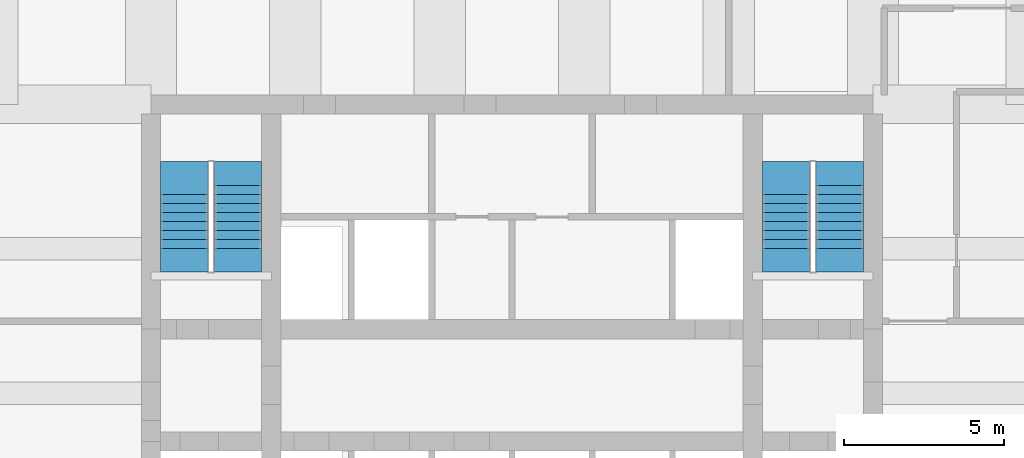
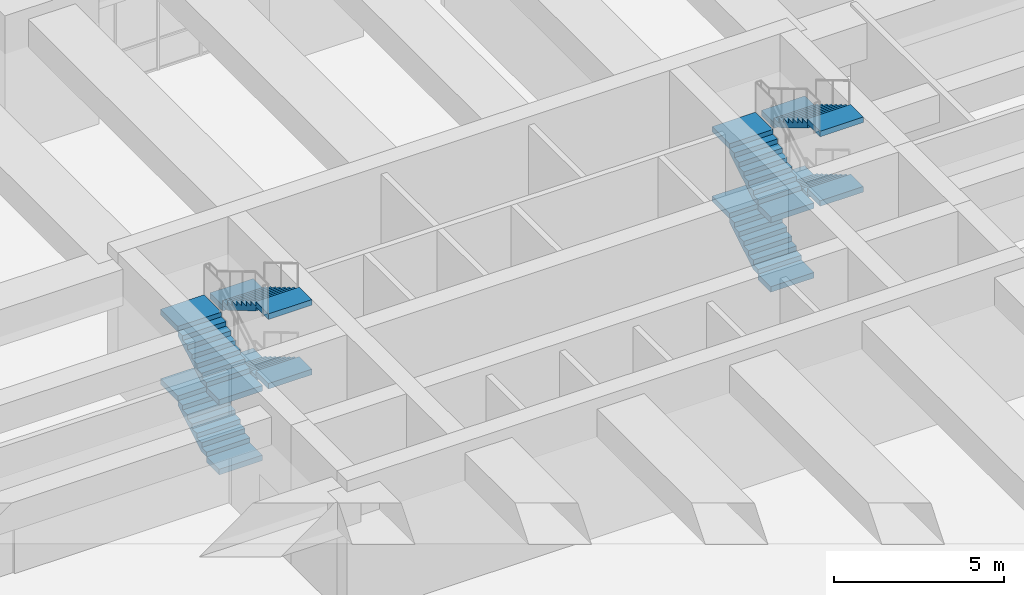
# One storey, part 20 of 22: 8 stair flights, 2 elements without a shape of their own.
"""IFC4 building model written with IfcOpenShell, lengths in metres."""

from ifc_helpers import new_model, si_unit, direction, frame, origin, place, context, subcontext, project, spatial, polyline, outline, extrude, material, type_object, element, aggregate, save


model = new_model("IFC4")

# Units and contexts
model_context = context("Model", 3, precision=1e-05, world=origin(), true_north=direction((0.0, 1.0)))
body_context = subcontext(model_context, "Body", "Model", "MODEL_VIEW")
ifc_project = project(units=[si_unit("LENGTHUNIT", "METRE"), si_unit("AREAUNIT", "SQUARE_METRE"), si_unit("VOLUMEUNIT", "CUBIC_METRE"), si_unit("PLANEANGLEUNIT", "RADIAN"), si_unit("MASSUNIT", "GRAM", prefix="KILO")], contexts=[model_context])

# Site, building, storey
site_placement = place(None, origin())
site = spatial("IfcSite", under=ifc_project, at=site_placement, CompositionType="ELEMENT")
building_placement = place(site_placement, origin())
building = spatial("IfcBuilding", under=site, at=building_placement, Name="Kilele Tower Hotel", CompositionType="ELEMENT")
storey_placement = place(building_placement, frame((0.0, 0.0, 19.0)))
storey = spatial("IfcBuildingStorey", under=building, at=storey_placement, Name="L03", CompositionType="ELEMENT", Elevation=19.0)

# Stair, stair flights
ifc_material_1 = material(Name="Precast concrete C40/50", Category="concrete")
stair_type = type_object("IfcStairType", Name="Stair 1475 x 5000", PredefinedType="HALF_TURN_STAIR", material=ifc_material_1)
stair_1_placement = place(storey_placement, origin())
stair_1 = element("IfcStair", 1, at=stair_1_placement, inside=storey, type_object=stair_type, Name="Stair 1 L03", PredefinedType="HALF_TURN_STAIR")
ifc_material_2 = material(Name="Precast concrete C40/50", Category="concrete")
stair_flight_type = type_object("IfcStairFlightType", Name="Flight 1475 riser 166.7", PredefinedType="STRAIGHT", material=ifc_material_2)
stair_flight_1_placement = place(storey_placement, frame((14.53759765625, 22.52001953125, 0.0), z_axis=(0.0, 0.0, 1.0), x_axis=(0.0, 1.0, 0.0)))
stair_flight_1 = element("IfcStairFlight", 2, at=stair_flight_1_placement, type_object=stair_flight_type, Name="ST1 flight 1", NumberOfRisers=7, NumberOfTreads=6, PredefinedType="STRAIGHT", RiserHeight=0.166666667, TreadLength=0.28, context=body_context, shape_type="SweptSolid", body=[
    extrude(outline(polyline([(0.0, 0.0), (0.0, 0.166748046875), (0.280029296875, 0.166748046875), (0.280029296875, 0.333251953125), (0.56005859375, 0.333251953125), (0.56005859375, 0.5), (0.840087890625, 0.5), (0.840087890625, 0.666748046875), (1.1201171875, 0.666748046875), (1.1201171875, 0.833251953125), (1.39990234375, 0.833251953125), (1.39990234375, 1.0), (1.679931640625, 1.0), (1.679931640625, 1.166748046875), (1.679931640625, 0.825439453125), (0.29296875, 0.0), (0.0, 0.0)])), frame((0.0, 0.737548828125, 0.0), z_axis=(0.0, -1.0, 0.0), x_axis=(1.0, 0.0, 0.0)), (0.0, 0.0, 1.0), 1.47509765625),
    extrude(outline(polyline([(-0.7451171875, 0.737548828125), (-0.7451171875, -0.7373046875), (0.0, -0.7373046875), (0.0, 0.737548828125), (-0.7451171875, 0.737548828125)])), frame((0.0, 0.0, -0.199951171875)), (0.0, 0.0, 1.0), 0.199951171875),
    extrude(outline(polyline([(1.679931640625, 0.737548828125), (1.679931640625, -0.7373046875), (2.705078125, -0.7373046875), (2.705078125, 0.737548828125), (1.679931640625, 0.737548828125)])), frame((0.0, 0.0, 0.966796875)), (0.0, 0.0, 1.0), 0.199951171875),
])
stair_flight_2_placement = place(storey_placement, frame((16.21240234375, 24.47998046875, 1.166748046875), z_axis=(0.0, 0.0, 1.0), x_axis=(0.0, -1.0, 0.0)))
stair_flight_2 = element("IfcStairFlight", 3, at=stair_flight_2_placement, type_object=stair_flight_type, Name="ST1 flight 2", NumberOfRisers=8, NumberOfTreads=7, PredefinedType="STRAIGHT", RiserHeight=0.166666667, TreadLength=0.28, context=body_context, shape_type="SweptSolid", body=[
    extrude(outline(polyline([(0.0, 0.0), (0.0, 0.166748046875), (0.280029296875, 0.166748046875), (0.280029296875, 0.333251953125), (0.56005859375, 0.333251953125), (0.56005859375, 0.5), (0.840087890625, 0.5), (0.840087890625, 0.666748046875), (1.1201171875, 0.666748046875), (1.1201171875, 0.833251953125), (1.39990234375, 0.833251953125), (1.39990234375, 1.0), (1.679931640625, 1.0), (1.679931640625, 1.166748046875), (1.9599609375, 1.166748046875), (1.9599609375, 1.333251953125), (1.9599609375, 0.9921875), (0.29296875, 0.0), (0.0, 0.0)])), frame((0.0, 0.737548828125, 0.0), z_axis=(0.0, -1.0, 0.0), x_axis=(1.0, 0.0, 0.0)), (0.0, 0.0, 1.0), 1.47509765625),
    extrude(outline(polyline([(0.0, -0.7373046875), (0.0, 0.737548828125), (-0.7451171875, 0.737548828125), (-0.7451171875, -0.7373046875), (0.0, -0.7373046875)])), frame((0.0, 0.0, -0.199951171875)), (0.0, 0.0, 1.0), 0.199951171875),
    extrude(outline(polyline([(2.705078125, -0.7373046875), (2.705078125, 0.737548828125), (1.9599609375, 0.737548828125), (1.9599609375, -0.7373046875), (2.705078125, -0.7373046875)])), frame((0.0, 0.0, 1.13330078125)), (0.0, 0.0, 1.0), 0.199951171875),
])
stair_flight_3_placement = place(storey_placement, frame((14.53759765625, 22.52001953125, 2.5), z_axis=(0.0, 0.0, 1.0), x_axis=(0.0, 1.0, 0.0)))
stair_flight_3 = element("IfcStairFlight", 4, at=stair_flight_3_placement, type_object=stair_flight_type, Name="ST1 flight 3", NumberOfRisers=7, NumberOfTreads=6, PredefinedType="STRAIGHT", RiserHeight=0.166666667, TreadLength=0.28, context=body_context, shape_type="SweptSolid", body=[
    extrude(outline(polyline([(0.0, 0.0), (0.0, 0.166748046875), (0.280029296875, 0.166748046875), (0.280029296875, 0.333251953125), (0.56005859375, 0.333251953125), (0.56005859375, 0.5), (0.840087890625, 0.5), (0.840087890625, 0.666748046875), (1.1201171875, 0.666748046875), (1.1201171875, 0.833251953125), (1.39990234375, 0.833251953125), (1.39990234375, 1.0), (1.679931640625, 1.0), (1.679931640625, 1.166748046875), (1.679931640625, 0.825439453125), (0.29296875, 0.0), (0.0, 0.0)])), frame((0.0, 0.737548828125, 0.0), z_axis=(0.0, -1.0, 0.0), x_axis=(1.0, 0.0, 0.0)), (0.0, 0.0, 1.0), 1.47509765625),
    extrude(outline(polyline([(-0.7451171875, 0.737548828125), (-0.7451171875, -0.7373046875), (0.0, -0.7373046875), (0.0, 0.737548828125), (-0.7451171875, 0.737548828125)])), frame((0.0, 0.0, -0.199951171875)), (0.0, 0.0, 1.0), 0.199951171875),
    extrude(outline(polyline([(1.679931640625, 0.737548828125), (1.679931640625, -0.7373046875), (2.705078125, -0.7373046875), (2.705078125, 0.737548828125), (1.679931640625, 0.737548828125)])), frame((0.0, 0.0, 0.966796875)), (0.0, 0.0, 1.0), 0.199951171875),
])
stair_flight_4_placement = place(storey_placement, frame((16.21240234375, 24.47998046875, 3.666748046875), z_axis=(0.0, 0.0, 1.0), x_axis=(0.0, -1.0, 0.0)))
stair_flight_4 = element("IfcStairFlight", 5, at=stair_flight_4_placement, type_object=stair_flight_type, Name="ST1 flight 4", NumberOfRisers=8, NumberOfTreads=7, PredefinedType="STRAIGHT", RiserHeight=0.166666667, TreadLength=0.28, context=body_context, shape_type="SweptSolid", body=[
    extrude(outline(polyline([(0.0, 0.0), (0.0, 0.166748046875), (0.280029296875, 0.166748046875), (0.280029296875, 0.333251953125), (0.56005859375, 0.333251953125), (0.56005859375, 0.5), (0.840087890625, 0.5), (0.840087890625, 0.666748046875), (1.1201171875, 0.666748046875), (1.1201171875, 0.833251953125), (1.39990234375, 0.833251953125), (1.39990234375, 1.0), (1.679931640625, 1.0), (1.679931640625, 1.166748046875), (1.9599609375, 1.166748046875), (1.9599609375, 1.333251953125), (1.9599609375, 0.9921875), (0.29296875, 0.0), (0.0, 0.0)])), frame((0.0, 0.737548828125, 0.0), z_axis=(0.0, -1.0, 0.0), x_axis=(1.0, 0.0, 0.0)), (0.0, 0.0, 1.0), 1.47509765625),
    extrude(outline(polyline([(0.0, -0.7373046875), (0.0, 0.737548828125), (-0.7451171875, 0.737548828125), (-0.7451171875, -0.7373046875), (0.0, -0.7373046875)])), frame((0.0, 0.0, -0.199951171875)), (0.0, 0.0, 1.0), 0.199951171875),
    extrude(outline(polyline([(2.705078125, -0.7373046875), (2.705078125, 0.737548828125), (1.9599609375, 0.737548828125), (1.9599609375, -0.7373046875), (2.705078125, -0.7373046875)])), frame((0.0, 0.0, 1.13330078125)), (0.0, 0.0, 1.0), 0.199951171875),
])
aggregate(stair_1, [stair_flight_1, stair_flight_2, stair_flight_3, stair_flight_4])

stair_2_placement = place(storey_placement, origin())
stair_2 = element("IfcStair", 6, at=stair_2_placement, inside=storey, type_object=stair_type, Name="Stair 2 L03", PredefinedType="HALF_TURN_STAIR")
stair_flight_5_placement = place(storey_placement, frame((33.28759765625, 22.52001953125, 0.0), z_axis=(0.0, 0.0, 1.0), x_axis=(0.0, 1.0, 0.0)))
stair_flight_5 = element("IfcStairFlight", 7, at=stair_flight_5_placement, type_object=stair_flight_type, Name="ST2 flight 1", NumberOfRisers=7, NumberOfTreads=6, PredefinedType="STRAIGHT", RiserHeight=0.166666667, TreadLength=0.28, context=body_context, shape_type="SweptSolid", body=[
    extrude(outline(polyline([(0.0, 0.0), (0.0, 0.166748046875), (0.280029296875, 0.166748046875), (0.280029296875, 0.333251953125), (0.56005859375, 0.333251953125), (0.56005859375, 0.5), (0.840087890625, 0.5), (0.840087890625, 0.666748046875), (1.1201171875, 0.666748046875), (1.1201171875, 0.833251953125), (1.39990234375, 0.833251953125), (1.39990234375, 1.0), (1.679931640625, 1.0), (1.679931640625, 1.166748046875), (1.679931640625, 0.825439453125), (0.29296875, 0.0), (0.0, 0.0)])), frame((0.0, 0.737548828125, 0.0), z_axis=(0.0, -1.0, 0.0), x_axis=(1.0, 0.0, 0.0)), (0.0, 0.0, 1.0), 1.47509765625),
    extrude(outline(polyline([(-0.7451171875, 0.737548828125), (-0.7451171875, -0.7373046875), (0.0, -0.7373046875), (0.0, 0.737548828125), (-0.7451171875, 0.737548828125)])), frame((0.0, 0.0, -0.199951171875)), (0.0, 0.0, 1.0), 0.199951171875),
    extrude(outline(polyline([(1.679931640625, 0.737548828125), (1.679931640625, -0.7373046875), (2.705078125, -0.7373046875), (2.705078125, 0.737548828125), (1.679931640625, 0.737548828125)])), frame((0.0, 0.0, 0.966796875)), (0.0, 0.0, 1.0), 0.199951171875),
])
stair_flight_6_placement = place(storey_placement, frame((34.96240234375, 24.47998046875, 1.166748046875), z_axis=(0.0, 0.0, 1.0), x_axis=(0.0, -1.0, 0.0)))
stair_flight_6 = element("IfcStairFlight", 8, at=stair_flight_6_placement, type_object=stair_flight_type, Name="ST2 flight 2", NumberOfRisers=8, NumberOfTreads=7, PredefinedType="STRAIGHT", RiserHeight=0.166666667, TreadLength=0.28, context=body_context, shape_type="SweptSolid", body=[
    extrude(outline(polyline([(0.0, 0.0), (0.0, 0.166748046875), (0.280029296875, 0.166748046875), (0.280029296875, 0.333251953125), (0.56005859375, 0.333251953125), (0.56005859375, 0.5), (0.840087890625, 0.5), (0.840087890625, 0.666748046875), (1.1201171875, 0.666748046875), (1.1201171875, 0.833251953125), (1.39990234375, 0.833251953125), (1.39990234375, 1.0), (1.679931640625, 1.0), (1.679931640625, 1.166748046875), (1.9599609375, 1.166748046875), (1.9599609375, 1.333251953125), (1.9599609375, 0.9921875), (0.29296875, 0.0), (0.0, 0.0)])), frame((0.0, 0.737548828125, 0.0), z_axis=(0.0, -1.0, 0.0), x_axis=(1.0, 0.0, 0.0)), (0.0, 0.0, 1.0), 1.47509765625),
    extrude(outline(polyline([(0.0, -0.7373046875), (0.0, 0.737548828125), (-0.7451171875, 0.737548828125), (-0.7451171875, -0.7373046875), (0.0, -0.7373046875)])), frame((0.0, 0.0, -0.199951171875)), (0.0, 0.0, 1.0), 0.199951171875),
    extrude(outline(polyline([(2.705078125, -0.7373046875), (2.705078125, 0.737548828125), (1.9599609375, 0.737548828125), (1.9599609375, -0.7373046875), (2.705078125, -0.7373046875)])), frame((0.0, 0.0, 1.13330078125)), (0.0, 0.0, 1.0), 0.199951171875),
])
stair_flight_7_placement = place(storey_placement, frame((33.28759765625, 22.52001953125, 2.5), z_axis=(0.0, 0.0, 1.0), x_axis=(0.0, 1.0, 0.0)))
stair_flight_7 = element("IfcStairFlight", 9, at=stair_flight_7_placement, type_object=stair_flight_type, Name="ST2 flight 3", NumberOfRisers=7, NumberOfTreads=6, PredefinedType="STRAIGHT", RiserHeight=0.166666667, TreadLength=0.28, context=body_context, shape_type="SweptSolid", body=[
    extrude(outline(polyline([(0.0, 0.0), (0.0, 0.166748046875), (0.280029296875, 0.166748046875), (0.280029296875, 0.333251953125), (0.56005859375, 0.333251953125), (0.56005859375, 0.5), (0.840087890625, 0.5), (0.840087890625, 0.666748046875), (1.1201171875, 0.666748046875), (1.1201171875, 0.833251953125), (1.39990234375, 0.833251953125), (1.39990234375, 1.0), (1.679931640625, 1.0), (1.679931640625, 1.166748046875), (1.679931640625, 0.825439453125), (0.29296875, 0.0), (0.0, 0.0)])), frame((0.0, 0.737548828125, 0.0), z_axis=(0.0, -1.0, 0.0), x_axis=(1.0, 0.0, 0.0)), (0.0, 0.0, 1.0), 1.47509765625),
    extrude(outline(polyline([(-0.7451171875, 0.737548828125), (-0.7451171875, -0.7373046875), (0.0, -0.7373046875), (0.0, 0.737548828125), (-0.7451171875, 0.737548828125)])), frame((0.0, 0.0, -0.199951171875)), (0.0, 0.0, 1.0), 0.199951171875),
    extrude(outline(polyline([(1.679931640625, 0.737548828125), (1.679931640625, -0.7373046875), (2.705078125, -0.7373046875), (2.705078125, 0.737548828125), (1.679931640625, 0.737548828125)])), frame((0.0, 0.0, 0.966796875)), (0.0, 0.0, 1.0), 0.199951171875),
])
stair_flight_8_placement = place(storey_placement, frame((34.96240234375, 24.47998046875, 3.666748046875), z_axis=(0.0, 0.0, 1.0), x_axis=(0.0, -1.0, 0.0)))
stair_flight_8 = element("IfcStairFlight", 10, at=stair_flight_8_placement, type_object=stair_flight_type, Name="ST2 flight 4", NumberOfRisers=8, NumberOfTreads=7, PredefinedType="STRAIGHT", RiserHeight=0.166666667, TreadLength=0.28, context=body_context, shape_type="SweptSolid", body=[
    extrude(outline(polyline([(0.0, 0.0), (0.0, 0.166748046875), (0.280029296875, 0.166748046875), (0.280029296875, 0.333251953125), (0.56005859375, 0.333251953125), (0.56005859375, 0.5), (0.840087890625, 0.5), (0.840087890625, 0.666748046875), (1.1201171875, 0.666748046875), (1.1201171875, 0.833251953125), (1.39990234375, 0.833251953125), (1.39990234375, 1.0), (1.679931640625, 1.0), (1.679931640625, 1.166748046875), (1.9599609375, 1.166748046875), (1.9599609375, 1.333251953125), (1.9599609375, 0.9921875), (0.29296875, 0.0), (0.0, 0.0)])), frame((0.0, 0.737548828125, 0.0), z_axis=(0.0, -1.0, 0.0), x_axis=(1.0, 0.0, 0.0)), (0.0, 0.0, 1.0), 1.47509765625),
    extrude(outline(polyline([(0.0, -0.7373046875), (0.0, 0.737548828125), (-0.7451171875, 0.737548828125), (-0.7451171875, -0.7373046875), (0.0, -0.7373046875)])), frame((0.0, 0.0, -0.199951171875)), (0.0, 0.0, 1.0), 0.199951171875),
    extrude(outline(polyline([(2.705078125, -0.7373046875), (2.705078125, 0.737548828125), (1.9599609375, 0.737548828125), (1.9599609375, -0.7373046875), (2.705078125, -0.7373046875)])), frame((0.0, 0.0, 1.13330078125)), (0.0, 0.0, 1.0), 0.199951171875),
])
aggregate(stair_2, [stair_flight_5, stair_flight_6, stair_flight_7, stair_flight_8])

save(model, "model.ifc")
